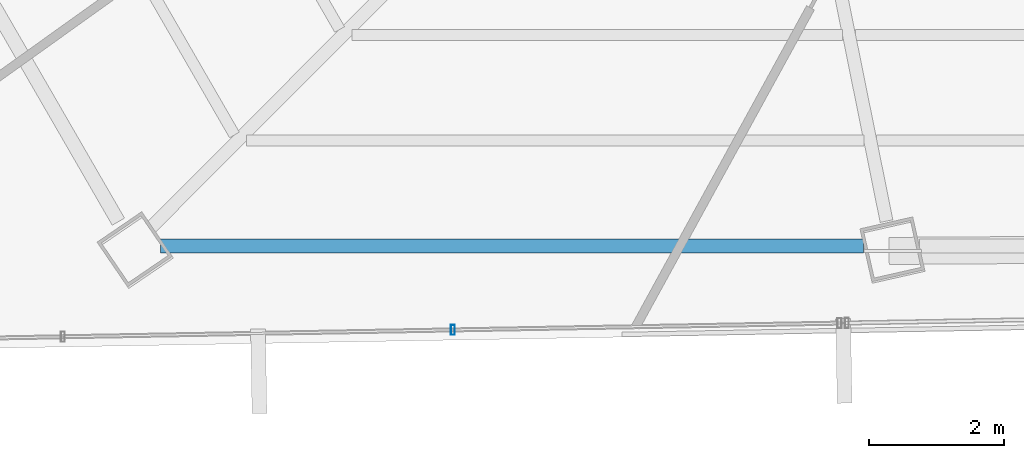
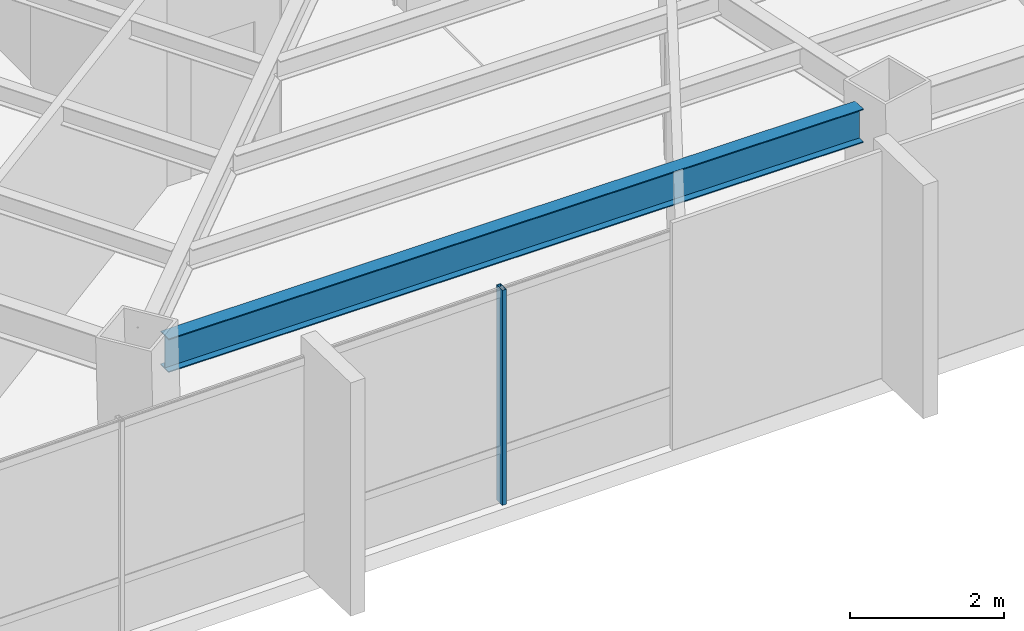
# One storey, part 6 of 42: 1 beam, 1 member, 1 element without a shape of its own.
"""IFC4 building model written with IfcOpenShell, lengths in metres."""

import ifcopenshell
import ifcopenshell.guid

model = None  # the IFC model being written
_history = None  # IfcOwnerHistory: only IFC2X3 demands one
_inside = {}  # id of a spatial element -> (the spatial element, [elements in it])
_under = {}  # id of a project, library or spatial element -> (it, [spatial elements below it])
_declared = {}  # id of a project -> (the project, [libraries it declares])
_typed = {}  # id of a type object -> (the type object, [elements of that type])
_made_of = {}  # id of a material, layer set ... -> (it, [elements and type objects made of it])


def new_model(schema):
    """Start an empty IFC model of exactly this schema.

    Asked for "IFC4X3", IfcOpenShell would pick the latest addendum, in which some entities
    have other attributes; the version numbers below select the first issue.
    IFC2X3 requires an IfcOwnerHistory on every rooted entity: one is made here for all.
    """
    global model, _history
    if schema == "IFC4X3":
        model = ifcopenshell.file(schema_version=(4, 3, 0, 0))
    else:
        model = ifcopenshell.file(schema=schema)
    _inside.clear()
    _under.clear()
    _declared.clear()
    _typed.clear()
    _made_of.clear()
    _history = None
    if model.schema == "IFC2X3":
        org = make("IfcOrganization", Name="unknown")
        user = make(
            "IfcPersonAndOrganization",
            ThePerson=make("IfcPerson", FamilyName="unknown"),
            TheOrganization=org,
        )
        app = make(
            "IfcApplication",
            ApplicationDeveloper=org,
            Version="unknown",
            ApplicationFullName="unknown",
            ApplicationIdentifier="unknown",
        )
        _history = make(
            "IfcOwnerHistory",
            OwningUser=user,
            OwningApplication=app,
            ChangeAction="ADDED",
            CreationDate=0,
        )
    return model


def make(cls, **values):
    """One entity of the class cls with the attributes given. An attribute that is None is left unset."""
    return model.create_entity(
        cls, **{name: value for name, value in values.items() if value is not None}
    )


def rooted(cls, **values):
    """An entity with a GlobalId (a new one), such as an element, a storey or a relation."""
    return make(cls, GlobalId=ifcopenshell.guid.new(), OwnerHistory=_history, **values)


def si_unit(unit_type, name, prefix=None):
    """IfcSIUnit, for example si_unit("LENGTHUNIT", "METRE", prefix="MILLI")."""
    return make("IfcSIUnit", UnitType=unit_type, Prefix=prefix, Name=name)


def assignment(units):
    """IfcUnitAssignment: the units of a project."""
    return None if units is None else make("IfcUnitAssignment", Units=units)


def point(xyz):
    """IfcCartesianPoint."""
    return None if xyz is None else make("IfcCartesianPoint", Coordinates=xyz)


def direction(xyz):
    """IfcDirection."""
    return None if xyz is None else make("IfcDirection", DirectionRatios=xyz)


def frame(location, z_axis=None, x_axis=None):
    """IfcAxis2Placement3D, a coordinate frame: its origin and axes. An axis left out is left unset."""
    return make(
        "IfcAxis2Placement3D",
        Location=point(location),
        Axis=direction(z_axis),
        RefDirection=direction(x_axis),
    )


def frame_2d(location, x_axis=None):
    """IfcAxis2Placement2D, a coordinate frame in the plane: its origin and x axis."""
    return make(
        "IfcAxis2Placement2D", Location=point(location), RefDirection=direction(x_axis)
    )


def origin():
    """The frame at (0, 0, 0) with its axes left unset."""
    return frame((0.0, 0.0, 0.0))


def origin_2d():
    """The frame at (0, 0) in the plane with its x axis left unset."""
    return frame_2d((0.0, 0.0))


def place(relative_to, where):
    """IfcLocalPlacement: puts the frame where relative to a parent placement (None: the world)."""
    return make(
        "IfcLocalPlacement", PlacementRelTo=relative_to, RelativePlacement=where
    )


def context(
    kind, dimensions, precision=None, world=None, true_north=None, identifier=None
):
    """IfcGeometricRepresentationContext, for example the 3D "Model" context."""
    return make(
        "IfcGeometricRepresentationContext",
        ContextIdentifier=identifier,
        ContextType=kind,
        CoordinateSpaceDimension=dimensions,
        Precision=precision,
        WorldCoordinateSystem=world,
        TrueNorth=true_north,
    )


def subcontext(parent, identifier, kind, view, scale=None):
    """IfcGeometricRepresentationSubContext, for example "Body" below "Model"."""
    return make(
        "IfcGeometricRepresentationSubContext",
        ContextIdentifier=identifier,
        ContextType=kind,
        ParentContext=parent,
        TargetScale=scale,
        TargetView=view,
    )


def project(units=None, contexts=None):
    """IfcProject with its units and contexts."""
    return rooted(
        "IfcProject",
        Name="project",
        RepresentationContexts=contexts,
        UnitsInContext=assignment(units),
    )


def spatial(cls, under=None, at=None, **own):
    """A site, building, storey or space (cls), placed at a placement, below another one or the project."""
    s = rooted(cls, ObjectPlacement=at, **own)
    if under is not None:
        _under.setdefault(under.id(), (under, []))[1].append(s)
    return s


def profile(cls, at=None, kind="AREA", **sizes):
    """A parametric profile (cls). Its sizes go by their IFC names, for example OverallWidth=200.0."""
    return make(cls, ProfileType=kind, Position=at, **sizes)


def hollow_rectangle(**sizes):
    """IfcRectangleHollowProfileDef."""
    return profile("IfcRectangleHollowProfileDef", **sizes)


def i_section(**sizes):
    """IfcIShapeProfileDef."""
    return profile("IfcIShapeProfileDef", **sizes)


def extrude(swept, where, along, depth):
    """IfcExtrudedAreaSolid: the profile swept, set in the frame where, extruded along a direction by depth."""
    return make(
        "IfcExtrudedAreaSolid",
        SweptArea=swept,
        Position=where,
        ExtrudedDirection=direction(along),
        Depth=depth,
    )


def shape(context_of_items, identifier, shape_type, items):
    """IfcShapeRepresentation: the items that make up one representation, for example the "Body"."""
    return make(
        "IfcShapeRepresentation",
        ContextOfItems=context_of_items,
        RepresentationIdentifier=identifier,
        RepresentationType=shape_type,
        Items=items,
    )


def source(mapping_origin, context_of_items, identifier, shape_type, items):
    """IfcRepresentationMap: a shape defined once, which mapped items show again and again."""
    return make(
        "IfcRepresentationMap",
        MappingOrigin=mapping_origin,
        MappedRepresentation=shape(context_of_items, identifier, shape_type, items),
    )


def transform(
    local_origin,
    x_axis=None,
    y_axis=None,
    z_axis=None,
    scale=None,
    scale2=None,
    scale3=None,
    uniform=True,
):
    """IfcCartesianTransformationOperator3D, or its non-uniform kind. x_axis, y_axis, z_axis: its Axis1, 2, 3."""
    if uniform:
        return make(
            "IfcCartesianTransformationOperator3D",
            Axis1=direction(x_axis),
            Axis2=direction(y_axis),
            LocalOrigin=point(local_origin),
            Scale=scale,
            Axis3=direction(z_axis),
        )
    return make(
        "IfcCartesianTransformationOperator3DnonUniform",
        Axis1=direction(x_axis),
        Axis2=direction(y_axis),
        LocalOrigin=point(local_origin),
        Scale=scale,
        Axis3=direction(z_axis),
        Scale2=scale2,
        Scale3=scale3,
    )


def mapped(mapping_source, mapping_target):
    """IfcMappedItem: shows the shape of a source again, moved by a transform."""
    return make(
        "IfcMappedItem", MappingSource=mapping_source, MappingTarget=mapping_target
    )


def material(Name=None, Category=None):
    """IfcMaterial."""
    return make("IfcMaterial", Name=Name, Category=Category)


def material_profile(
    of_material, cross_section, Name=None, Category=None, Priority=None
):
    """IfcMaterialProfile: a cross section and its material."""
    return make(
        "IfcMaterialProfile",
        Name=Name,
        Material=of_material,
        Profile=cross_section,
        Priority=Priority,
        Category=Category,
    )


def profile_set(profiles, Name=None, composite=None):
    """IfcMaterialProfileSet."""
    return make(
        "IfcMaterialProfileSet",
        Name=Name,
        MaterialProfiles=profiles,
        CompositeProfile=composite,
    )


def made_of(thing, what):
    """Note that an element or type object is made of a material, layer set ...; save() writes the relation."""
    if what is not None:
        _made_of.setdefault(what.id(), (what, []))[1].append(thing)
    return thing


def type_object(cls, material=None, **own):
    """A type object (cls), such as IfcWallType, which elements share."""
    return made_of(rooted(cls, **own), material)


def type_shapes(of_type, sources):
    """Give a type object the sources (RepresentationMaps) that its elements show as mapped items."""
    of_type.RepresentationMaps = sources


def element(
    cls,
    number,
    at=None,
    inside=None,
    cuts=None,
    type_object=None,
    material=None,
    context=None,
    identifier="Body",
    shape_type=None,
    held_by="IfcProductDefinitionShape",
    body=None,
    shapes=None,
    **own,
):
    """One element of the class cls, such as IfcWall. Its Tag is "e" and its number.

    at: its placement. inside: the storey or other place that contains it. cuts: it is an
    opening in that element (IfcRelVoidsElement). A single representation is given by context,
    identifier, shape_type and body (its items); several are given by shapes. held_by: the class
    of the entity that holds the representations. save() writes the other relations.
    """
    e = rooted(cls, Tag="e%d" % number, ObjectPlacement=at, **own)
    if body is not None:
        shapes = [shape(context, identifier, shape_type, body)]
    if shapes is not None:
        e.Representation = make(held_by, Representations=shapes)
    if inside is not None:
        _inside.setdefault(inside.id(), (inside, []))[1].append(e)
    if cuts is not None:
        rooted(
            "IfcRelVoidsElement", RelatingBuildingElement=cuts, RelatedOpeningElement=e
        )
    if type_object is not None:
        _typed.setdefault(type_object.id(), (type_object, []))[1].append(e)
    return made_of(e, material)


def aggregate(whole, parts):
    """IfcRelAggregates: a whole, such as a stair, and the parts it consists of."""
    return rooted("IfcRelAggregates", RelatingObject=whole, RelatedObjects=parts)


def save(model, path):
    """Write the relations noted so far, then the file.

    IfcRelAggregates (storeys below a building ...), IfcRelContainedInSpatialStructure (elements
    in a storey), IfcRelDefinesByType, IfcRelAssociatesMaterial and IfcRelDeclares: one each for
    every whole, place, type object, material and project.
    """
    for whole, parts in _under.values():
        aggregate(whole, parts)
    for where, things in _inside.values():
        rooted(
            "IfcRelContainedInSpatialStructure",
            RelatedElements=things,
            RelatingStructure=where,
        )
    for kind, things in _typed.values():
        rooted("IfcRelDefinesByType", RelatedObjects=things, RelatingType=kind)
    for what, things in _made_of.values():
        rooted("IfcRelAssociatesMaterial", RelatedObjects=things, RelatingMaterial=what)
    for by, libraries in _declared.values():
        rooted("IfcRelDeclares", RelatingContext=by, RelatedDefinitions=libraries)
    model.write(path)


model = new_model("IFC4")

# Units and contexts
model_context = context("Model", 3, precision=1e-05, world=origin(), true_north=direction((0.0, 1.0)))
body_context = subcontext(model_context, "Body", "Model", "MODEL_VIEW")
ifc_project = project(units=[si_unit("LENGTHUNIT", "METRE"), si_unit("AREAUNIT", "SQUARE_METRE"), si_unit("VOLUMEUNIT", "CUBIC_METRE"), si_unit("PLANEANGLEUNIT", "RADIAN"), si_unit("MASSUNIT", "GRAM", prefix="KILO")], contexts=[model_context])

# Site, building, storey
site_placement = place(None, origin())
site = spatial("IfcSite", under=ifc_project, at=site_placement, CompositionType="ELEMENT")
building_placement = place(site_placement, origin())
building = spatial("IfcBuilding", under=site, at=building_placement, Name="Caelisora Broadcast Tower", CompositionType="ELEMENT")
storey_placement = place(building_placement, frame((0.0, 0.0, 187.699951171875)))
storey = spatial("IfcBuildingStorey", under=building, at=storey_placement, Name="L49", CompositionType="ELEMENT", Elevation=187.699951171875)

# Beam
ifc_material_1 = material(Name="Steel Grade 350 (AS/NZS 3679.1)", Category="steel")
ifc_material_profile_1 = material_profile(ifc_material_1, i_section(OverallWidth=0.208984375, OverallDepth=0.532958984375, WebThickness=0.01025390625, FlangeThickness=0.015625, at=origin_2d()), Name="Steel Grade 350 (AS/NZS 3679.1)")
ifc_profile_set_1 = profile_set([ifc_material_profile_1], Name="Steel Grade 350 (AS/NZS 3679.1)")
beam_type = type_object("IfcBeamType", Name="PG05", PredefinedType="BEAM", material=ifc_profile_set_1)
shared_shape_1 = source(origin(), body_context, "Body", "SweptSolid", [
    extrude(i_section(OverallWidth=0.208984375, OverallDepth=0.532958984375, WebThickness=0.01025390625, FlangeThickness=0.015625, at=origin_2d()), origin(), (0.0, 0.0, 1.0), 10.393310546875),
])
type_shapes(beam_type, [shared_shape_1])
beam_placement = place(storey_placement, frame((21.578125, 8.04345703125, 3.133544921875), z_axis=(1.0, 0.0, 0.0), x_axis=(0.0, 1.0, 0.0)))
element("IfcBeam", 1, at=beam_placement, inside=storey, type_object=beam_type, Name="L49 beam PG05", PredefinedType="BEAM", context=body_context, shape_type="MappedRepresentation", body=[
    mapped(shared_shape_1, transform((0.0, 0.0, 0.0), scale=1.0)),
])

# Curtain wall, member
ifc_material_2 = material(Name="Unitised Aluminium and Low-E Glass Curtain Wall", Category="glass")
curtain_wall_type = type_object("IfcCurtainWallType", Name="CW-Z4", PredefinedType="NOTDEFINED", material=ifc_material_2)
curtain_wall_placement = place(storey_placement, origin())
curtain_wall = element("IfcCurtainWall", 2, at=curtain_wall_placement, inside=storey, type_object=curtain_wall_type, Name="L49 curtain wall CW-Z4", PredefinedType="NOTDEFINED")
ifc_material_3 = material(Name="Aluminium 6063-T6 Anodised Terracotta Bronze", Category="aluminium")
ifc_material_profile_2 = material_profile(ifc_material_3, hollow_rectangle(XDim=0.06005859375, YDim=0.14990234375, WallThickness=0.00341796875, at=origin_2d()), Name="Aluminium 6063-T6 Anodised Terracotta Bronze")
ifc_profile_set_2 = profile_set([ifc_material_profile_2], Name="Aluminium 6063-T6 Anodised Terracotta Bronze")
member_type = type_object("IfcMemberType", Name="CWM-03", PredefinedType="MULLION", material=ifc_profile_set_2)
shared_shape_2 = source(origin(), body_context, "Body", "SweptSolid", [
    extrude(hollow_rectangle(XDim=0.06005859375, YDim=0.14990234375, WallThickness=0.00341796875, at=origin_2d()), origin(), (0.0, 0.0, 1.0), 3.400146484375),
])
type_shapes(member_type, [shared_shape_2])
member_placement = place(storey_placement, frame((25.900634765625, 6.802734375, 0.0), z_axis=(0.0, 0.0, 1.0), x_axis=(1.0, 0.0, 0.0)))
member = element("IfcMember", 3, at=member_placement, type_object=member_type, Name="L49-CW-B07 mullion #1", PredefinedType="MULLION", context=body_context, shape_type="MappedRepresentation", body=[
    mapped(shared_shape_2, transform((0.0, 0.0, 0.0), scale=1.0)),
])
aggregate(curtain_wall, [member])

save(model, "model.ifc")
